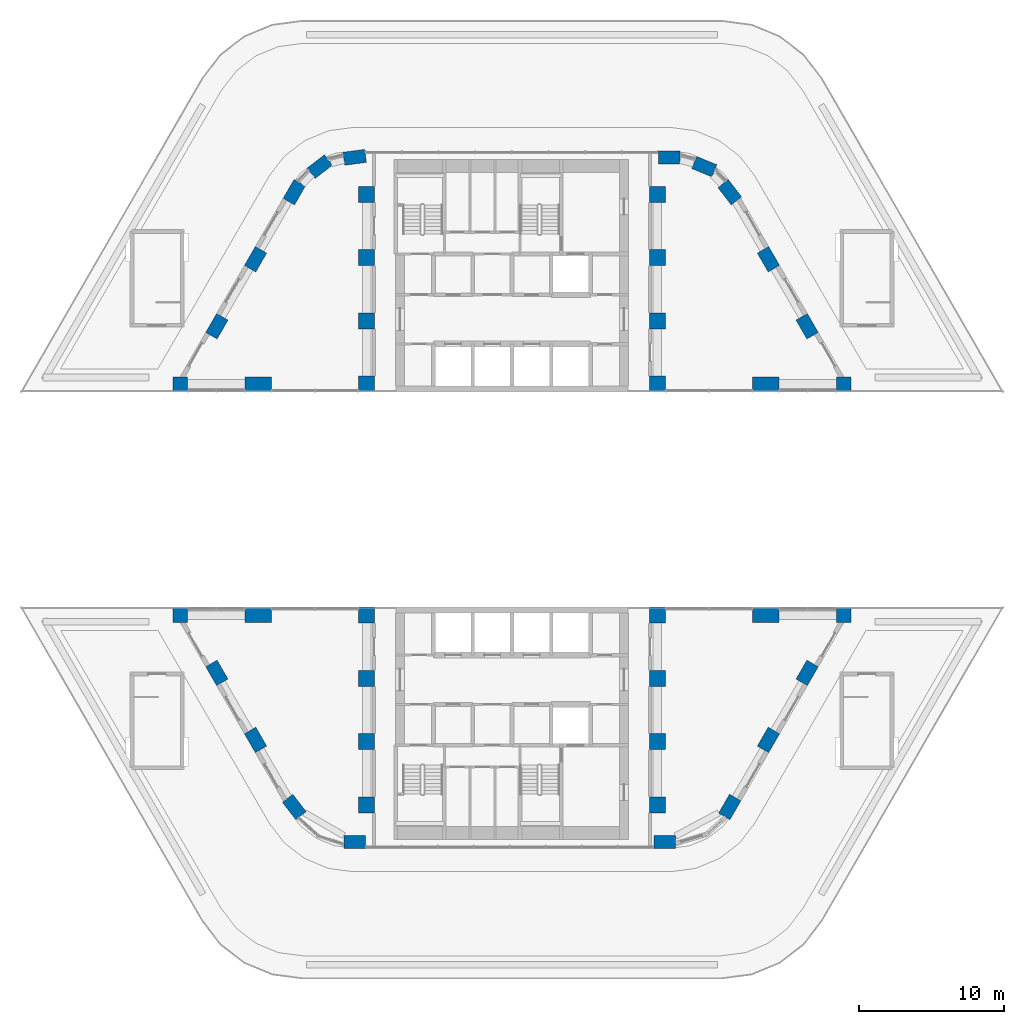
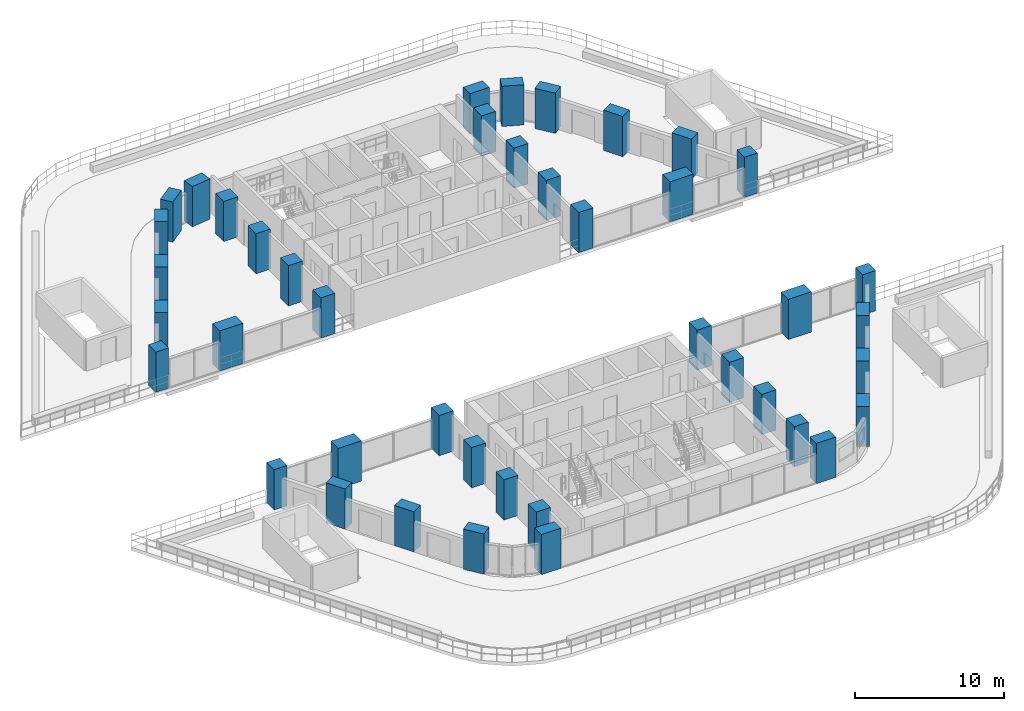
# One storey, part 1 of 24: 42 columns.
"""IFC4 building model written with IfcOpenShell, lengths in metres."""

import ifcopenshell
import ifcopenshell.guid

model = None  # the IFC model being written
_history = None  # IfcOwnerHistory: only IFC2X3 demands one
_inside = {}  # id of a spatial element -> (the spatial element, [elements in it])
_under = {}  # id of a project, library or spatial element -> (it, [spatial elements below it])
_declared = {}  # id of a project -> (the project, [libraries it declares])
_typed = {}  # id of a type object -> (the type object, [elements of that type])
_made_of = {}  # id of a material, layer set ... -> (it, [elements and type objects made of it])


def new_model(schema):
    """Start an empty IFC model of exactly this schema.

    Asked for "IFC4X3", IfcOpenShell would pick the latest addendum, in which some entities
    have other attributes; the version numbers below select the first issue.
    IFC2X3 requires an IfcOwnerHistory on every rooted entity: one is made here for all.
    """
    global model, _history
    if schema == "IFC4X3":
        model = ifcopenshell.file(schema_version=(4, 3, 0, 0))
    else:
        model = ifcopenshell.file(schema=schema)
    _inside.clear()
    _under.clear()
    _declared.clear()
    _typed.clear()
    _made_of.clear()
    _history = None
    if model.schema == "IFC2X3":
        org = make("IfcOrganization", Name="unknown")
        user = make(
            "IfcPersonAndOrganization",
            ThePerson=make("IfcPerson", FamilyName="unknown"),
            TheOrganization=org,
        )
        app = make(
            "IfcApplication",
            ApplicationDeveloper=org,
            Version="unknown",
            ApplicationFullName="unknown",
            ApplicationIdentifier="unknown",
        )
        _history = make(
            "IfcOwnerHistory",
            OwningUser=user,
            OwningApplication=app,
            ChangeAction="ADDED",
            CreationDate=0,
        )
    return model


def make(cls, **values):
    """One entity of the class cls with the attributes given. An attribute that is None is left unset."""
    return model.create_entity(
        cls, **{name: value for name, value in values.items() if value is not None}
    )


def rooted(cls, **values):
    """An entity with a GlobalId (a new one), such as an element, a storey or a relation."""
    return make(cls, GlobalId=ifcopenshell.guid.new(), OwnerHistory=_history, **values)


def si_unit(unit_type, name, prefix=None):
    """IfcSIUnit, for example si_unit("LENGTHUNIT", "METRE", prefix="MILLI")."""
    return make("IfcSIUnit", UnitType=unit_type, Prefix=prefix, Name=name)


def assignment(units):
    """IfcUnitAssignment: the units of a project."""
    return None if units is None else make("IfcUnitAssignment", Units=units)


def point(xyz):
    """IfcCartesianPoint."""
    return None if xyz is None else make("IfcCartesianPoint", Coordinates=xyz)


def direction(xyz):
    """IfcDirection."""
    return None if xyz is None else make("IfcDirection", DirectionRatios=xyz)


def frame(location, z_axis=None, x_axis=None):
    """IfcAxis2Placement3D, a coordinate frame: its origin and axes. An axis left out is left unset."""
    return make(
        "IfcAxis2Placement3D",
        Location=point(location),
        Axis=direction(z_axis),
        RefDirection=direction(x_axis),
    )


def frame_2d(location, x_axis=None):
    """IfcAxis2Placement2D, a coordinate frame in the plane: its origin and x axis."""
    return make(
        "IfcAxis2Placement2D", Location=point(location), RefDirection=direction(x_axis)
    )


def origin():
    """The frame at (0, 0, 0) with its axes left unset."""
    return frame((0.0, 0.0, 0.0))


def origin_2d():
    """The frame at (0, 0) in the plane with its x axis left unset."""
    return frame_2d((0.0, 0.0))


def place(relative_to, where):
    """IfcLocalPlacement: puts the frame where relative to a parent placement (None: the world)."""
    return make(
        "IfcLocalPlacement", PlacementRelTo=relative_to, RelativePlacement=where
    )


def context(
    kind, dimensions, precision=None, world=None, true_north=None, identifier=None
):
    """IfcGeometricRepresentationContext, for example the 3D "Model" context."""
    return make(
        "IfcGeometricRepresentationContext",
        ContextIdentifier=identifier,
        ContextType=kind,
        CoordinateSpaceDimension=dimensions,
        Precision=precision,
        WorldCoordinateSystem=world,
        TrueNorth=true_north,
    )


def subcontext(parent, identifier, kind, view, scale=None):
    """IfcGeometricRepresentationSubContext, for example "Body" below "Model"."""
    return make(
        "IfcGeometricRepresentationSubContext",
        ContextIdentifier=identifier,
        ContextType=kind,
        ParentContext=parent,
        TargetScale=scale,
        TargetView=view,
    )


def project(units=None, contexts=None):
    """IfcProject with its units and contexts."""
    return rooted(
        "IfcProject",
        Name="project",
        RepresentationContexts=contexts,
        UnitsInContext=assignment(units),
    )


def spatial(cls, under=None, at=None, **own):
    """A site, building, storey or space (cls), placed at a placement, below another one or the project."""
    s = rooted(cls, ObjectPlacement=at, **own)
    if under is not None:
        _under.setdefault(under.id(), (under, []))[1].append(s)
    return s


def profile(cls, at=None, kind="AREA", **sizes):
    """A parametric profile (cls). Its sizes go by their IFC names, for example OverallWidth=200.0."""
    return make(cls, ProfileType=kind, Position=at, **sizes)


def rectangle(**sizes):
    """IfcRectangleProfileDef."""
    return profile("IfcRectangleProfileDef", **sizes)


def extrude(swept, where, along, depth):
    """IfcExtrudedAreaSolid: the profile swept, set in the frame where, extruded along a direction by depth."""
    return make(
        "IfcExtrudedAreaSolid",
        SweptArea=swept,
        Position=where,
        ExtrudedDirection=direction(along),
        Depth=depth,
    )


def shape(context_of_items, identifier, shape_type, items):
    """IfcShapeRepresentation: the items that make up one representation, for example the "Body"."""
    return make(
        "IfcShapeRepresentation",
        ContextOfItems=context_of_items,
        RepresentationIdentifier=identifier,
        RepresentationType=shape_type,
        Items=items,
    )


def material(Name=None, Category=None):
    """IfcMaterial."""
    return make("IfcMaterial", Name=Name, Category=Category)


def material_profile(
    of_material, cross_section, Name=None, Category=None, Priority=None
):
    """IfcMaterialProfile: a cross section and its material."""
    return make(
        "IfcMaterialProfile",
        Name=Name,
        Material=of_material,
        Profile=cross_section,
        Priority=Priority,
        Category=Category,
    )


def profile_set(profiles, Name=None, composite=None):
    """IfcMaterialProfileSet."""
    return make(
        "IfcMaterialProfileSet",
        Name=Name,
        MaterialProfiles=profiles,
        CompositeProfile=composite,
    )


def made_of(thing, what):
    """Note that an element or type object is made of a material, layer set ...; save() writes the relation."""
    if what is not None:
        _made_of.setdefault(what.id(), (what, []))[1].append(thing)
    return thing


def type_object(cls, material=None, **own):
    """A type object (cls), such as IfcWallType, which elements share."""
    return made_of(rooted(cls, **own), material)


def element(
    cls,
    number,
    at=None,
    inside=None,
    cuts=None,
    type_object=None,
    material=None,
    context=None,
    identifier="Body",
    shape_type=None,
    held_by="IfcProductDefinitionShape",
    body=None,
    shapes=None,
    **own,
):
    """One element of the class cls, such as IfcWall. Its Tag is "e" and its number.

    at: its placement. inside: the storey or other place that contains it. cuts: it is an
    opening in that element (IfcRelVoidsElement). A single representation is given by context,
    identifier, shape_type and body (its items); several are given by shapes. held_by: the class
    of the entity that holds the representations. save() writes the other relations.
    """
    e = rooted(cls, Tag="e%d" % number, ObjectPlacement=at, **own)
    if body is not None:
        shapes = [shape(context, identifier, shape_type, body)]
    if shapes is not None:
        e.Representation = make(held_by, Representations=shapes)
    if inside is not None:
        _inside.setdefault(inside.id(), (inside, []))[1].append(e)
    if cuts is not None:
        rooted(
            "IfcRelVoidsElement", RelatingBuildingElement=cuts, RelatedOpeningElement=e
        )
    if type_object is not None:
        _typed.setdefault(type_object.id(), (type_object, []))[1].append(e)
    return made_of(e, material)


def aggregate(whole, parts):
    """IfcRelAggregates: a whole, such as a stair, and the parts it consists of."""
    return rooted("IfcRelAggregates", RelatingObject=whole, RelatedObjects=parts)


def save(model, path):
    """Write the relations noted so far, then the file.

    IfcRelAggregates (storeys below a building ...), IfcRelContainedInSpatialStructure (elements
    in a storey), IfcRelDefinesByType, IfcRelAssociatesMaterial and IfcRelDeclares: one each for
    every whole, place, type object, material and project.
    """
    for whole, parts in _under.values():
        aggregate(whole, parts)
    for where, things in _inside.values():
        rooted(
            "IfcRelContainedInSpatialStructure",
            RelatedElements=things,
            RelatingStructure=where,
        )
    for kind, things in _typed.values():
        rooted("IfcRelDefinesByType", RelatedObjects=things, RelatingType=kind)
    for what, things in _made_of.values():
        rooted("IfcRelAssociatesMaterial", RelatedObjects=things, RelatingMaterial=what)
    for by, libraries in _declared.values():
        rooted("IfcRelDeclares", RelatingContext=by, RelatedDefinitions=libraries)
    model.write(path)


model = new_model("IFC4")

# Units and contexts
model_context = context("Model", 3, precision=1e-05, world=origin(), true_north=direction((0.0, 1.0)))
body_context = subcontext(model_context, "Body", "Model", "MODEL_VIEW")
ifc_project = project(units=[si_unit("LENGTHUNIT", "METRE"), si_unit("AREAUNIT", "SQUARE_METRE"), si_unit("VOLUMEUNIT", "CUBIC_METRE"), si_unit("PLANEANGLEUNIT", "RADIAN"), si_unit("MASSUNIT", "GRAM", prefix="KILO")], contexts=[model_context])

# Site, building, storey
site_placement = place(None, origin())
site = spatial("IfcSite", under=ifc_project, at=site_placement, CompositionType="ELEMENT")
building_placement = place(site_placement, origin())
building = spatial("IfcBuilding", under=site, at=building_placement, Name="Nakaniwa Court", CompositionType="ELEMENT")
storey_placement = place(building_placement, frame((0.0, 0.0, 28.199951171875)))
storey = spatial("IfcBuildingStorey", under=building, at=storey_placement, Name="L06", CompositionType="ELEMENT", Elevation=28.199951171875)

# Columns
ifc_material = material(Name="Concrete C100/115", Category="concrete")
ifc_material_profile_1 = material_profile(ifc_material, rectangle(XDim=1.0, YDim=1.0, at=origin_2d()), Name="Concrete C100/115 RC 1000x1000 portal edge column")
ifc_profile_set_1 = profile_set([ifc_material_profile_1], Name="Concrete C100/115")
column_type_1 = type_object("IfcColumnType", Name="Concrete C100/115 RC 1000x1000 portal edge column", PredefinedType="COLUMN", material=ifc_profile_set_1)
for number, where, z_axis, x_axis, name in (
    (1, (102.822998046875, 87.949951171875, 0.0), (0.0, 0.0, 1.0), (1.0, 0.0, 0.0), "COLUMN CP-03"),
    (2, (102.822998046875, 72.050048828125, 0.0), (0.0, 0.0, 1.0), (1.0, 0.0, 0.0), "COLUMN CP-04"),
    (3, (57.177001953125, 87.949951171875, 0.0), (0.0, 0.0, 1.0), (1.0, 0.0, 0.0), "COLUMN CP-11"),
    (4, (57.177001953125, 72.050048828125, 0.0), (0.0, 0.0, 1.0), (1.0, 0.0, 0.0), "COLUMN CP-12"),
):
    element("IfcColumn", number, at=place(storey_placement, frame(where, z_axis=z_axis, x_axis=x_axis)), inside=storey, type_object=column_type_1, Name=name, PredefinedType="COLUMN", context=body_context, shape_type="SweptSolid", body=[
        extrude(rectangle(XDim=1.0, YDim=1.0, at=origin_2d()), origin(), (0.0, 0.0, 1.0), 3.300048828125),
    ])
ifc_material_profile_2 = material_profile(ifc_material, rectangle(XDim=1.10009765625, YDim=1.10009765625, at=origin_2d()), Name="Concrete C100/115 RC 1100x1100 spine column")
ifc_profile_set_2 = profile_set([ifc_material_profile_2], Name="Concrete C100/115")
column_type_2 = type_object("IfcColumnType", Name="Concrete C100/115 RC 1100x1100 spine column", PredefinedType="COLUMN", material=ifc_profile_set_2)
for number, where, z_axis, x_axis, name in (
    (5, (90.0, 59.0, 0.0), (0.0, 0.0, 1.0), (0.0, 1.0, 0.0), "COLUMN CS-01"),
    (6, (90.0, 63.35009765625, 0.0), (0.0, 0.0, 1.0), (0.0, 1.0, 0.0), "COLUMN CS-02"),
    (7, (90.0, 67.699951171875, 0.0), (0.0, 0.0, 1.0), (0.0, 1.0, 0.0), "COLUMN CS-03"),
    (8, (90.0, 72.050048828125, 0.0), (0.0, 0.0, 1.0), (0.0, 1.0, 0.0), "COLUMN CS-04"),
    (9, (90.0, 87.949951171875, 0.0), (0.0, 0.0, 1.0), (0.0, 1.0, 0.0), "COLUMN CS-07"),
    (10, (90.0, 92.300048828125, 0.0), (0.0, 0.0, 1.0), (0.0, 1.0, 0.0), "COLUMN CS-08"),
    (11, (90.0, 96.64990234375, 0.0), (0.0, 0.0, 1.0), (0.0, 1.0, 0.0), "COLUMN CS-09"),
    (12, (90.0, 101.0, 0.0), (0.0, 0.0, 1.0), (0.0, 1.0, 0.0), "COLUMN CS-10"),
    (13, (70.0, 101.0, 0.0), (0.0, 0.0, 1.0), (0.0, -1.0, 0.0), "COLUMN CS-11"),
    (14, (70.0, 96.64990234375, 0.0), (0.0, 0.0, 1.0), (0.0, -1.0, 0.0), "COLUMN CS-12"),
    (15, (70.0, 92.300048828125, 0.0), (0.0, 0.0, 1.0), (0.0, -1.0, 0.0), "COLUMN CS-13"),
    (16, (70.0, 87.949951171875, 0.0), (0.0, 0.0, 1.0), (0.0, -1.0, 0.0), "COLUMN CS-14"),
    (17, (70.0, 72.050048828125, 0.0), (0.0, 0.0, 1.0), (0.0, -1.0, 0.0), "COLUMN CS-17"),
    (18, (70.0, 67.699951171875, 0.0), (0.0, 0.0, 1.0), (0.0, -1.0, 0.0), "COLUMN CS-18"),
    (19, (70.0, 63.35009765625, 0.0), (0.0, 0.0, 1.0), (0.0, -1.0, 0.0), "COLUMN CS-19"),
    (20, (70.0, 59.0, 0.0), (0.0, 0.0, 1.0), (0.0, -1.0, 0.0), "COLUMN CS-20"),
):
    element("IfcColumn", number, at=place(storey_placement, frame(where, z_axis=z_axis, x_axis=x_axis)), inside=storey, type_object=column_type_2, Name=name, PredefinedType="COLUMN", context=body_context, shape_type="SweptSolid", body=[
        extrude(rectangle(XDim=1.10009765625, YDim=1.10009765625, at=origin_2d()), origin(), (0.0, 0.0, 1.0), 3.300048828125),
    ])
ifc_material_profile_3 = material_profile(ifc_material, rectangle(XDim=1.5, YDim=0.89990234375, at=origin_2d()), Name="Concrete C100/115 RC 1500x900 perimeter column")
ifc_profile_set_3 = profile_set([ifc_material_profile_3], Name="Concrete C100/115")
column_type_3 = type_object("IfcColumnType", Name="Concrete C100/115 RC 1500x900 perimeter column", PredefinedType="COLUMN", material=ifc_profile_set_3)
for number, where, z_axis, x_axis, name in (
    (21, (69.17529296875, 103.550048828125, 0.0), (0.0, 0.0, 1.0), (-0.991442583111, -0.130543496177, 0.0), "COLUMN CO-01"),
    (22, (66.772705078125, 102.91015625, 0.0), (0.0, 0.0, 1.0), (-0.793363965062, -0.608747582288, 0.0), "COLUMN CO-02"),
    (23, (65.017578125, 101.1494140625, 0.0), (0.0, 0.0, 1.0), (-0.5, -0.866025403784, 0.0), "COLUMN CO-03"),
    (24, (62.3544921875, 96.537109375, 0.0), (0.0, 0.0, 1.0), (-0.5, -0.866025403784, 0.0), "COLUMN CO-04"),
    (25, (59.691650390625, 91.9248046875, 0.0), (0.0, 0.0, 1.0), (-0.5, -0.866025403784, 0.0), "COLUMN CO-05"),
    (26, (59.691650390625, 68.0751953125, 0.0), (0.0, 0.0, 1.0), (0.5, -0.866025403784, 0.0), "COLUMN CO-14"),
    (27, (62.3544921875, 63.462890625, 0.0), (0.0, 0.0, 1.0), (0.5, -0.866025403784, 0.0), "COLUMN CO-15"),
    (28, (65.017578125, 58.8505859375, 0.0), (0.0, 0.0, 1.0), (0.608761429009, -0.793353340291, 0.0), "COLUMN CO-16"),
    (29, (69.17529296875, 56.449951171875, 0.0), (0.0, 0.0, 1.0), (1.0, 0.0, 0.0), "COLUMN CO-17"),
    (30, (90.507080078125, 56.449951171875, 0.0), (0.0, 0.0, 1.0), (1.0, 0.0, 0.0), "COLUMN CO-21"),
    (31, (94.982421875, 58.8505859375, 0.0), (0.0, 0.0, 1.0), (0.5, 0.866025403784, 0.0), "COLUMN CO-22"),
    (32, (97.6455078125, 63.462890625, 0.0), (0.0, 0.0, 1.0), (0.5, 0.866025403784, 0.0), "COLUMN CO-23"),
    (33, (100.308349609375, 68.0751953125, 0.0), (0.0, 0.0, 1.0), (0.5, 0.866025403784, 0.0), "COLUMN CO-24"),
    (34, (100.308349609375, 91.9248046875, 0.0), (0.0, 0.0, 1.0), (-0.5, 0.866025403784, 0.0), "COLUMN CO-33"),
    (35, (97.6455078125, 96.537109375, 0.0), (0.0, 0.0, 1.0), (-0.5, 0.866025403784, 0.0), "COLUMN CO-34"),
    (36, (94.982421875, 101.1494140625, 0.0), (0.0, 0.0, 1.0), (-0.608761429009, 0.793353340291, 0.0), "COLUMN CO-35"),
    (37, (93.227294921875, 102.91015625, 0.0), (0.0, 0.0, 1.0), (-0.923879532511, 0.382683432365, 0.0), "COLUMN CO-36"),
    (38, (90.82470703125, 103.550048828125, 0.0), (0.0, 0.0, 1.0), (-1.0, 0.0, 0.0), "COLUMN CO-37"),
):
    element("IfcColumn", number, at=place(storey_placement, frame(where, z_axis=z_axis, x_axis=x_axis)), inside=storey, type_object=column_type_3, Name=name, PredefinedType="COLUMN", context=body_context, shape_type="SweptSolid", body=[
        extrude(rectangle(XDim=1.5, YDim=0.89990234375, at=origin_2d()), origin(), (0.0, 0.0, 1.0), 3.300048828125),
    ])
ifc_material_profile_4 = material_profile(ifc_material, rectangle(XDim=1.800048828125, YDim=1.0, at=origin_2d()), Name="Concrete C100/115 RC 1800x1000 portal edge column")
ifc_profile_set_4 = profile_set([ifc_material_profile_4], Name="Concrete C100/115")
column_type_4 = type_object("IfcColumnType", Name="Concrete C100/115 RC 1800x1000 portal edge column", PredefinedType="COLUMN", material=ifc_profile_set_4)
for number, where, z_axis, x_axis, name in (
    (39, (97.4580078125, 87.949951171875, 0.0), (0.0, 0.0, 1.0), (1.0, 0.0, 0.0), "COLUMN CP-01"),
    (40, (97.4580078125, 72.050048828125, 0.0), (0.0, 0.0, 1.0), (1.0, 0.0, 0.0), "COLUMN CP-02"),
    (41, (62.5419921875, 87.949951171875, 0.0), (0.0, 0.0, 1.0), (1.0, 0.0, 0.0), "COLUMN CP-09"),
    (42, (62.5419921875, 72.050048828125, 0.0), (0.0, 0.0, 1.0), (1.0, 0.0, 0.0), "COLUMN CP-10"),
):
    element("IfcColumn", number, at=place(storey_placement, frame(where, z_axis=z_axis, x_axis=x_axis)), inside=storey, type_object=column_type_4, Name=name, PredefinedType="COLUMN", context=body_context, shape_type="SweptSolid", body=[
        extrude(rectangle(XDim=1.800048828125, YDim=1.0, at=origin_2d()), origin(), (0.0, 0.0, 1.0), 3.300048828125),
    ])

save(model, "model.ifc")
